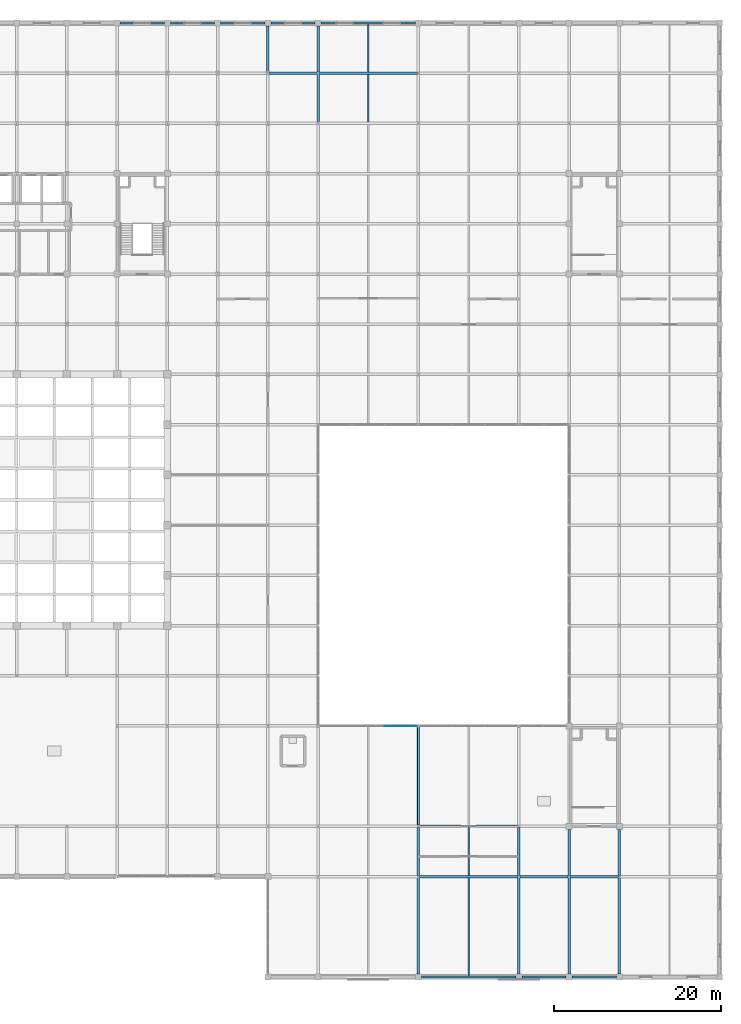
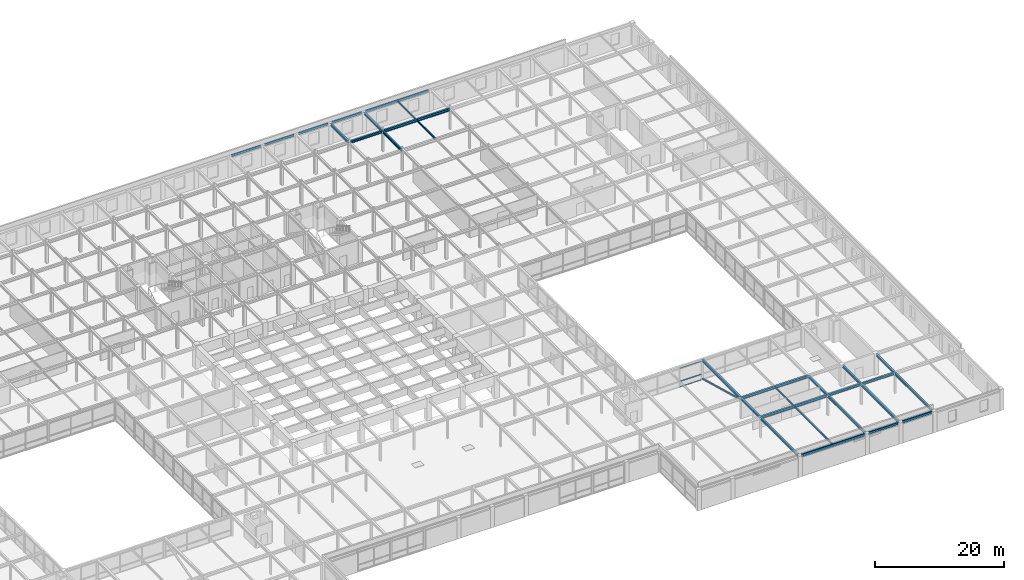
# One storey, part 81 of 111: 30 beams, 4 members, 1 element without a shape of its own.
"""IFC4 building model written with IfcOpenShell, lengths in metres."""

from ifc_helpers import new_model, si_unit, direction, frame, origin, origin_2d, place, context, subcontext, project, spatial, hollow_rectangle, i_section, extrude, material, layer, layer_set, material_profile, profile_set, type_object, element, aggregate, save


model = new_model("IFC4")

# Units and contexts
model_context = context("Model", 3, precision=1e-05, world=origin(), true_north=direction((0.0, 1.0)))
body_context = subcontext(model_context, "Body", "Model", "MODEL_VIEW")
ifc_project = project(units=[si_unit("LENGTHUNIT", "METRE"), si_unit("AREAUNIT", "SQUARE_METRE"), si_unit("VOLUMEUNIT", "CUBIC_METRE"), si_unit("PLANEANGLEUNIT", "RADIAN"), si_unit("MASSUNIT", "GRAM", prefix="KILO")], contexts=[model_context])

# Site, building, storey
site_placement = place(None, origin())
site = spatial("IfcSite", under=ifc_project, at=site_placement, CompositionType="ELEMENT")
building_placement = place(site_placement, origin())
building = spatial("IfcBuilding", under=site, at=building_placement, Name="Zlatovratsky Civic Hall", CompositionType="ELEMENT")
storey_placement = place(building_placement, frame((0.0, 0.0, 16.5)))
storey = spatial("IfcBuildingStorey", under=building, at=storey_placement, Name="L04", CompositionType="ELEMENT", Elevation=16.5)

# Beams
ifc_material_1 = material(Name="Steel S355", Category="steel")
ifc_material_profile_1 = material_profile(ifc_material_1, i_section(OverallWidth=0.300048828125, OverallDepth=0.487060546875, WebThickness=0.014404296875, FlangeThickness=0.017578125, FilletRadius=0.02392578125, at=origin_2d()), Name="50Sh2")
ifc_profile_set_1 = profile_set([ifc_material_profile_1], Name="Steel S355")
beam_type_1 = type_object("IfcBeamType", Name="Beam_ArchiveGirder_50Sh2", PredefinedType="BEAM", material=ifc_profile_set_1)
for number, where, z_axis, x_axis, name in (
    (1, (132.125, 12.0, 3.756591796875), (1.0, 0.0, 0.0), (0.0, 1.0, 0.0), "BM-3230"),
    (2, (132.125, 18.0, 3.756591796875), (1.0, 0.0, 0.0), (0.0, 1.0, 0.0), "BM-3252"),
    (3, (120.125, 108.0, 3.756591796875), (1.0, 0.0, 0.0), (0.0, 1.0, 0.0), "BM-3485"),
):
    element("IfcBeam", number, at=place(storey_placement, frame(where, z_axis=z_axis, x_axis=x_axis)), inside=storey, type_object=beam_type_1, Name=name, PredefinedType="BEAM", context=body_context, shape_type="SweptSolid", body=[
        extrude(i_section(OverallWidth=0.300048828125, OverallDepth=0.487060546875, WebThickness=0.014404296875, FlangeThickness=0.017578125, FilletRadius=0.02392578125, at=origin_2d()), origin(), (0.0, 0.0, 1.0), 11.75),
    ])
beam_1_placement = place(storey_placement, frame((132.0, 0.35009765625, 3.756591796875), z_axis=(0.0, 1.0, 0.0), x_axis=(-1.0, 0.0, 0.0)))
element("IfcBeam", 4, at=beam_1_placement, inside=storey, type_object=beam_type_1, Name="BM-3756", PredefinedType="BEAM", context=body_context, shape_type="SweptSolid", body=[
    extrude(i_section(OverallWidth=0.300048828125, OverallDepth=0.487060546875, WebThickness=0.014404296875, FlangeThickness=0.017578125, FilletRadius=0.02392578125, at=origin_2d()), origin(), (0.0, 0.0, 1.0), 11.52490234375),
])
beam_2_placement = place(storey_placement, frame((132.0, 18.125, 3.756591796875), z_axis=(0.0, 1.0, 0.0), x_axis=(-1.0, 0.0, 0.0)))
element("IfcBeam", 5, at=beam_2_placement, inside=storey, type_object=beam_type_1, Name="BM-3758", PredefinedType="BEAM", context=body_context, shape_type="SweptSolid", body=[
    extrude(i_section(OverallWidth=0.300048828125, OverallDepth=0.487060546875, WebThickness=0.014404296875, FlangeThickness=0.017578125, FilletRadius=0.02392578125, at=origin_2d()), origin(), (0.0, 0.0, 1.0), 11.75),
])
for number, where, z_axis, x_axis, name in (
    (6, (144.0, 0.35009765625, 3.756591796875), (0.0, 1.0, 0.0), (-1.0, 0.0, 0.0), "BM-3767"),
    (7, (150.0, 0.35009765625, 3.756591796875), (0.0, 1.0, 0.0), (-1.0, 0.0, 0.0), "BM-3778"),
    (8, (156.0, 0.35009765625, 3.756591796875), (0.0, 1.0, 0.0), (-1.0, 0.0, 0.0), "BM-3795"),
):
    element("IfcBeam", number, at=place(storey_placement, frame(where, z_axis=z_axis, x_axis=x_axis)), inside=storey, type_object=beam_type_1, Name=name, PredefinedType="BEAM", context=body_context, shape_type="SweptSolid", body=[
        extrude(i_section(OverallWidth=0.300048828125, OverallDepth=0.487060546875, WebThickness=0.014404296875, FlangeThickness=0.017578125, FilletRadius=0.02392578125, at=origin_2d()), origin(), (0.0, 0.0, 1.0), 11.52490234375),
    ])
ifc_material_profile_2 = material_profile(ifc_material_1, i_section(OverallWidth=0.198974609375, OverallDepth=0.491943359375, WebThickness=0.0087890625, FlangeThickness=0.011962890625, FilletRadius=0.01611328125, at=origin_2d()), Name="50B1")
ifc_profile_set_2 = profile_set([ifc_material_profile_2], Name="Steel S355")
beam_type_2 = type_object("IfcBeamType", Name="Beam_Spandrel_50B1", PredefinedType="SPANDREL", material=ifc_profile_set_2)
for number, where, z_axis, x_axis, name in (
    (9, (144.35009765625, 0.0, 3.75390625), (1.0, 0.0, 0.0), (0.0, 1.0, 0.0), "BM-3209"),
    (10, (150.35009765625, 0.0, 3.75390625), (1.0, 0.0, 0.0), (0.0, 1.0, 0.0), "BM-3210"),
    (11, (96.35009765625, 114.0, 3.75390625), (1.0, 0.0, 0.0), (0.0, 1.0, 0.0), "BM-3503"),
    (12, (102.35009765625, 114.0, 3.75390625), (1.0, 0.0, 0.0), (0.0, 1.0, 0.0), "BM-3504"),
    (13, (108.35009765625, 114.0, 3.75390625), (1.0, 0.0, 0.0), (0.0, 1.0, 0.0), "BM-3505"),
    (14, (114.35009765625, 114.0, 3.75390625), (1.0, 0.0, 0.0), (0.0, 1.0, 0.0), "BM-3506"),
):
    element("IfcBeam", number, at=place(storey_placement, frame(where, z_axis=z_axis, x_axis=x_axis)), inside=storey, type_object=beam_type_2, Name=name, PredefinedType="SPANDREL", context=body_context, shape_type="SweptSolid", body=[
        extrude(i_section(OverallWidth=0.198974609375, OverallDepth=0.491943359375, WebThickness=0.0087890625, FlangeThickness=0.011962890625, FilletRadius=0.01611328125, at=origin_2d()), origin(), (0.0, 0.0, 1.0), 5.2998046875),
    ])
ifc_material_profile_3 = material_profile(ifc_material_1, i_section(OverallWidth=0.219970703125, OverallDepth=0.54296875, WebThickness=0.009521484375, FlangeThickness=0.013427734375, FilletRadius=0.01806640625, at=origin_2d()), Name="55B1")
ifc_profile_set_3 = profile_set([ifc_material_profile_3], Name="Steel S355")
beam_type_3 = type_object("IfcBeamType", Name="Beam_Spandrel_55B1", PredefinedType="SPANDREL", material=ifc_profile_set_3)
for number, where, z_axis, x_axis, name in (
    (15, (132.35009765625, 0.0, 3.728515625), (1.0, 0.0, 0.0), (0.0, 1.0, 0.0), "BM-3208"),
    (16, (120.35009765625, 114.0, 3.728515625), (1.0, 0.0, 0.0), (0.0, 1.0, 0.0), "BM-3507"),
):
    element("IfcBeam", number, at=place(storey_placement, frame(where, z_axis=z_axis, x_axis=x_axis)), inside=storey, type_object=beam_type_3, Name=name, PredefinedType="SPANDREL", context=body_context, shape_type="SweptSolid", body=[
        extrude(i_section(OverallWidth=0.219970703125, OverallDepth=0.54296875, WebThickness=0.009521484375, FlangeThickness=0.013427734375, FilletRadius=0.01806640625, at=origin_2d()), origin(), (0.0, 0.0, 1.0), 11.2998046875),
    ])
ifc_material_profile_4 = material_profile(ifc_material_1, i_section(OverallWidth=0.300048828125, OverallDepth=0.43994140625, WebThickness=0.010986328125, FlangeThickness=0.01806640625, FilletRadius=0.02197265625, at=origin_2d()), Name="45Sh1")
ifc_profile_set_4 = profile_set([ifc_material_profile_4], Name="Steel S355")
beam_type_4 = type_object("IfcBeamType", Name="Beam_TowerLow_45Sh1", PredefinedType="BEAM", material=ifc_profile_set_4)
for number, where, z_axis, x_axis, name in (
    (17, (144.125, 12.0, 3.780029296875), (1.0, 0.0, 0.0), (0.0, 1.0, 0.0), "BM-3231"),
    (18, (150.125, 12.0, 3.780029296875), (1.0, 0.0, 0.0), (0.0, 1.0, 0.0), "BM-3232"),
):
    element("IfcBeam", number, at=place(storey_placement, frame(where, z_axis=z_axis, x_axis=x_axis)), inside=storey, type_object=beam_type_4, Name=name, PredefinedType="BEAM", context=body_context, shape_type="SweptSolid", body=[
        extrude(i_section(OverallWidth=0.300048828125, OverallDepth=0.43994140625, WebThickness=0.010986328125, FlangeThickness=0.01806640625, FilletRadius=0.02197265625, at=origin_2d()), origin(), (0.0, 0.0, 1.0), 5.75),
    ])
beam_3_placement = place(storey_placement, frame((114.202392578125, 108.0, 3.780029296875), z_axis=(1.0, 0.0, 0.0), x_axis=(0.0, 1.0, 0.0)))
element("IfcBeam", 19, at=beam_3_placement, inside=storey, type_object=beam_type_4, Name="BM-3484", PredefinedType="BEAM", context=body_context, shape_type="SweptSolid", body=[
    extrude(i_section(OverallWidth=0.300048828125, OverallDepth=0.43994140625, WebThickness=0.010986328125, FlangeThickness=0.01806640625, FilletRadius=0.02197265625, at=origin_2d()), origin(), (0.0, 0.0, 1.0), 5.672607421875),
])
beam_4_placement = place(storey_placement, frame((114.0, 108.208984375, 3.780029296875), z_axis=(0.0, 1.0, 0.0), x_axis=(-1.0, 0.0, 0.0)))
element("IfcBeam", 20, at=beam_4_placement, inside=storey, type_object=beam_type_4, Name="BM-3738", PredefinedType="BEAM", context=body_context, shape_type="SweptSolid", body=[
    extrude(i_section(OverallWidth=0.300048828125, OverallDepth=0.43994140625, WebThickness=0.010986328125, FlangeThickness=0.01806640625, FilletRadius=0.02197265625, at=origin_2d()), origin(), (0.0, 0.0, 1.0), 5.44091796875),
])
beam_5_placement = place(storey_placement, frame((120.0, 102.125, 3.780029296875), z_axis=(0.0, 1.0, 0.0), x_axis=(-1.0, 0.0, 0.0)))
element("IfcBeam", 21, at=beam_5_placement, inside=storey, type_object=beam_type_4, Name="BM-3754", PredefinedType="BEAM", context=body_context, shape_type="SweptSolid", body=[
    extrude(i_section(OverallWidth=0.300048828125, OverallDepth=0.43994140625, WebThickness=0.010986328125, FlangeThickness=0.01806640625, FilletRadius=0.02197265625, at=origin_2d()), origin(), (0.0, 0.0, 1.0), 5.75),
])
beam_6_placement = place(storey_placement, frame((120.0, 108.125, 3.780029296875), z_axis=(0.0, 1.0, 0.0), x_axis=(-1.0, 0.0, 0.0)))
element("IfcBeam", 22, at=beam_6_placement, inside=storey, type_object=beam_type_4, Name="BM-3755", PredefinedType="BEAM", context=body_context, shape_type="SweptSolid", body=[
    extrude(i_section(OverallWidth=0.300048828125, OverallDepth=0.43994140625, WebThickness=0.010986328125, FlangeThickness=0.01806640625, FilletRadius=0.02197265625, at=origin_2d()), origin(), (0.0, 0.0, 1.0), 5.52490234375),
])
for number, where, z_axis, x_axis, name in (
    (23, (132.0, 12.125, 3.780029296875), (0.0, 1.0, 0.0), (-1.0, 0.0, 0.0), "BM-3757"),
    (24, (144.0, 12.125, 3.780029296875), (0.0, 1.0, 0.0), (-1.0, 0.0, 0.0), "BM-3768"),
):
    element("IfcBeam", number, at=place(storey_placement, frame(where, z_axis=z_axis, x_axis=x_axis)), inside=storey, type_object=beam_type_4, Name=name, PredefinedType="BEAM", context=body_context, shape_type="SweptSolid", body=[
        extrude(i_section(OverallWidth=0.300048828125, OverallDepth=0.43994140625, WebThickness=0.010986328125, FlangeThickness=0.01806640625, FilletRadius=0.02197265625, at=origin_2d()), origin(), (0.0, 0.0, 1.0), 5.75),
    ])
for number, where, z_axis, x_axis, name in (
    (25, (150.0, 12.125, 3.780029296875), (0.0, 1.0, 0.0), (-1.0, 0.0, 0.0), "BM-3779"),
    (26, (156.0, 12.125, 3.780029296875), (0.0, 1.0, 0.0), (-1.0, 0.0, 0.0), "BM-3796"),
):
    element("IfcBeam", number, at=place(storey_placement, frame(where, z_axis=z_axis, x_axis=x_axis)), inside=storey, type_object=beam_type_4, Name=name, PredefinedType="BEAM", context=body_context, shape_type="SweptSolid", body=[
        extrude(i_section(OverallWidth=0.300048828125, OverallDepth=0.43994140625, WebThickness=0.010986328125, FlangeThickness=0.01806640625, FilletRadius=0.02197265625, at=origin_2d()), origin(), (0.0, 0.0, 1.0), 5.52490234375),
    ])

# Member
ifc_material_profile_5 = material_profile(ifc_material_1, hollow_rectangle(XDim=0.219970703125, YDim=0.219970703125, WallThickness=0.010009765625, at=origin_2d()), Name="SHS 220x220x10")
ifc_profile_set_5 = profile_set([ifc_material_profile_5], Name="Steel S355")
member_type_1 = type_object("IfcMemberType", Name="Brace_Podium_SHS220", PredefinedType="BRACE", material=ifc_profile_set_5)
member_1_placement = place(storey_placement, frame((132.0, 18.125, 3.449951171875), z_axis=(0.0, 0.964859524035, -0.262766243798), x_axis=(-1.0, 0.0, 0.0)))
element("IfcMember", 27, at=member_1_placement, inside=storey, type_object=member_type_1, Name="MB-0121", PredefinedType="BRACE", context=body_context, shape_type="SweptSolid", body=[
    extrude(hollow_rectangle(XDim=0.219970703125, YDim=0.219970703125, WallThickness=0.010009765625, at=origin_2d()), origin(), (0.0, 0.0, 1.0), 12.177978515625),
])

# Curtain wall, members
ifc_material_2 = material(Name="Anodised bronze aluminium", Category="aluminium")
ifc_layer = layer(ifc_material_2, 0.159912109375)
ifc_layer_set = layer_set([ifc_layer], Name="Anodised bronze aluminium")
curtain_wall_type = type_object("IfcCurtainWallType", Name="CurtainWall_Bronze_11750x3550_17", PredefinedType="NOTDEFINED", material=ifc_layer_set)
curtain_wall_placement = place(storey_placement, origin())
curtain_wall = element("IfcCurtainWall", 28, at=curtain_wall_placement, inside=storey, type_object=curtain_wall_type, Name="CW-111", PredefinedType="NOTDEFINED")
ifc_material_profile_6 = material_profile(ifc_material_2, hollow_rectangle(XDim=0.06005859375, YDim=0.139892578125, WallThickness=0.00390625, at=origin_2d()), Name="ALU 60x140x4")
ifc_profile_set_6 = profile_set([ifc_material_profile_6], Name="Anodised bronze aluminium")
member_type_2 = type_object("IfcMemberType", Name="CW_Transom_60x140", PredefinedType="USERDEFINED", material=ifc_profile_set_6)
member_2_placement = place(storey_placement, frame((127.98828125, 30.0, 0.030029296875), z_axis=(1.0, 0.0, 0.0), x_axis=(0.0, 1.0, 0.0)))
member_2 = element("IfcMember", 29, at=member_2_placement, type_object=member_type_2, Name="CW-17 transom 3.1", ObjectType="TRANSOM", PredefinedType="USERDEFINED", context=body_context, shape_type="SweptSolid", body=[
    extrude(hollow_rectangle(XDim=0.06005859375, YDim=0.139892578125, WallThickness=0.00390625, at=origin_2d()), origin(), (0.0, 0.0, 1.0), 3.82666015625),
])
member_3_placement = place(storey_placement, frame((127.98828125, 30.0, 1.10009765625), z_axis=(1.0, 0.0, 0.0), x_axis=(0.0, 1.0, 0.0)))
member_3 = element("IfcMember", 30, at=member_3_placement, type_object=member_type_2, Name="CW-17 transom 3.2", ObjectType="TRANSOM", PredefinedType="USERDEFINED", context=body_context, shape_type="SweptSolid", body=[
    extrude(hollow_rectangle(XDim=0.06005859375, YDim=0.139892578125, WallThickness=0.00390625, at=origin_2d()), origin(), (0.0, 0.0, 1.0), 3.82666015625),
])
member_4_placement = place(storey_placement, frame((127.98828125, 30.0, 3.52001953125), z_axis=(1.0, 0.0, 0.0), x_axis=(0.0, 1.0, 0.0)))
member_4 = element("IfcMember", 31, at=member_4_placement, type_object=member_type_2, Name="CW-17 transom 3.3", ObjectType="TRANSOM", PredefinedType="USERDEFINED", context=body_context, shape_type="SweptSolid", body=[
    extrude(hollow_rectangle(XDim=0.06005859375, YDim=0.139892578125, WallThickness=0.00390625, at=origin_2d()), origin(), (0.0, 0.0, 1.0), 3.82666015625),
])
aggregate(curtain_wall, [member_2, member_3, member_4])

# Beams
ifc_material_profile_7 = material_profile(ifc_material_1, i_section(OverallWidth=0.155029296875, OverallDepth=0.345947265625, WebThickness=0.006103515625, FlangeThickness=0.008544921875, FilletRadius=0.013916015625, at=origin_2d()), Name="35B1")
ifc_profile_set_7 = profile_set([ifc_material_profile_7], Name="Steel S355")
beam_type_5 = type_object("IfcBeamType", Name="Joist_Podium_35B1", PredefinedType="JOIST", material=ifc_profile_set_7)
beam_7_placement = place(storey_placement, frame((138.0, 0.110107421875, 3.826904296875), z_axis=(0.0, 1.0, 0.0), x_axis=(-1.0, 0.0, 0.0)))
element("IfcBeam", 32, at=beam_7_placement, inside=storey, type_object=beam_type_5, Name="BM-3833", PredefinedType="JOIST", context=body_context, shape_type="SweptSolid", body=[
    extrude(i_section(OverallWidth=0.155029296875, OverallDepth=0.345947265625, WebThickness=0.006103515625, FlangeThickness=0.008544921875, FilletRadius=0.013916015625, at=origin_2d()), origin(), (0.0, 0.0, 1.0), 11.739990234375),
])
ifc_material_profile_8 = material_profile(ifc_material_1, i_section(OverallWidth=0.14892578125, OverallDepth=0.2958984375, WebThickness=0.005615234375, FlangeThickness=0.008056640625, FilletRadius=0.012939453125, at=origin_2d()), Name="30B1")
ifc_profile_set_8 = profile_set([ifc_material_profile_8], Name="Steel S355")
beam_type_6 = type_object("IfcBeamType", Name="Joist_Tower_30B1", PredefinedType="JOIST", material=ifc_profile_set_8)
for number, where, z_axis, x_axis, name in (
    (33, (138.0, 12.14990234375, 3.85205078125), (0.0, 1.0, 0.0), (-1.0, 0.0, 0.0), "BM-3839"),
    (34, (126.0, 102.14990234375, 3.85205078125), (0.0, 1.0, 0.0), (-1.0, 0.0, 0.0), "BM-3900"),
):
    element("IfcBeam", number, at=place(storey_placement, frame(where, z_axis=z_axis, x_axis=x_axis)), inside=storey, type_object=beam_type_6, Name=name, PredefinedType="JOIST", context=body_context, shape_type="SweptSolid", body=[
        extrude(i_section(OverallWidth=0.14892578125, OverallDepth=0.2958984375, WebThickness=0.005615234375, FlangeThickness=0.008056640625, FilletRadius=0.012939453125, at=origin_2d()), origin(), (0.0, 0.0, 1.0), 5.7001953125),
    ])
beam_8_placement = place(storey_placement, frame((126.0, 108.14990234375, 3.85205078125), z_axis=(0.0, 1.0, 0.0), x_axis=(-1.0, 0.0, 0.0)))
element("IfcBeam", 35, at=beam_8_placement, inside=storey, type_object=beam_type_6, Name="BM-3906", PredefinedType="JOIST", context=body_context, shape_type="SweptSolid", body=[
    extrude(i_section(OverallWidth=0.14892578125, OverallDepth=0.2958984375, WebThickness=0.005615234375, FlangeThickness=0.008056640625, FilletRadius=0.012939453125, at=origin_2d()), origin(), (0.0, 0.0, 1.0), 5.739990234375),
])

save(model, "model.ifc")
